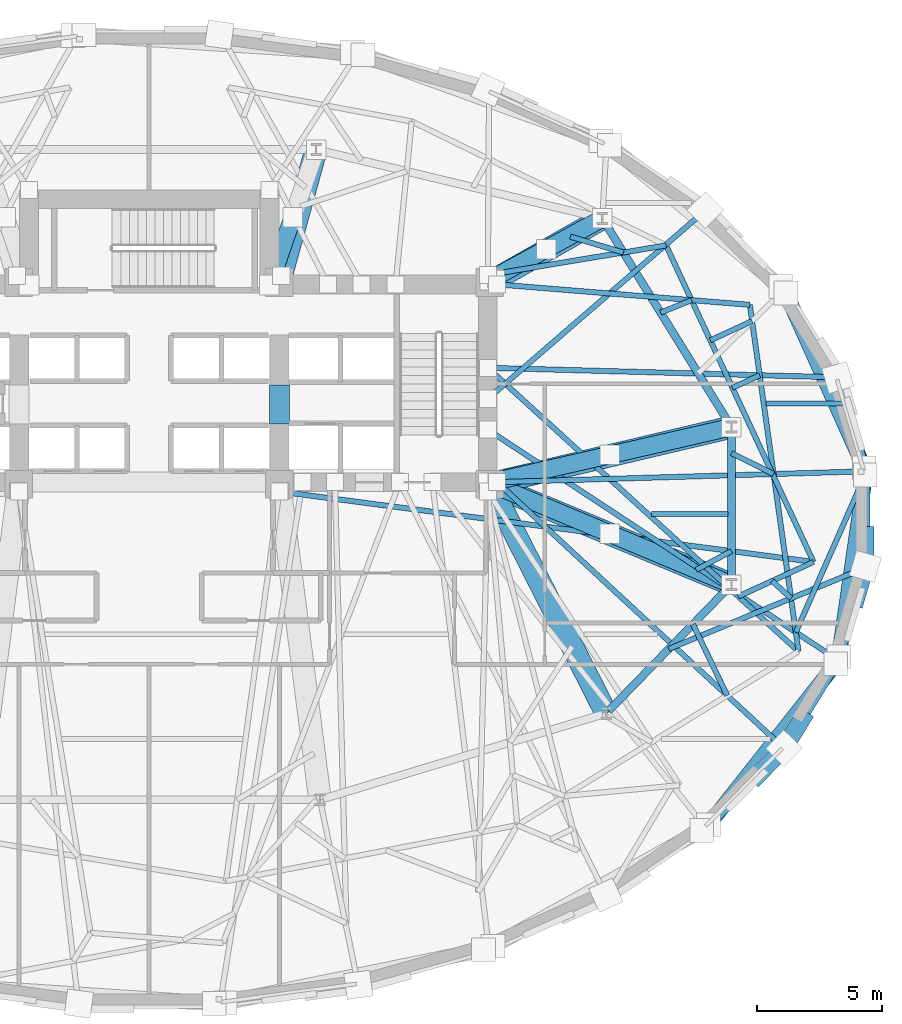
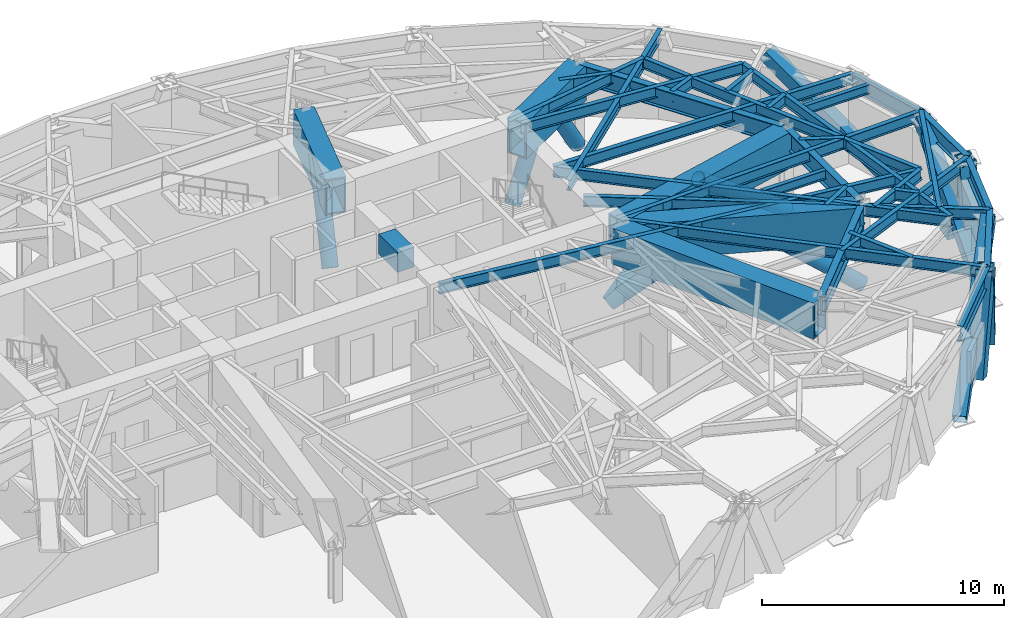
# One storey, part 4 of 14: 38 beams, 14 members.
"""IFC4 building model written with IfcOpenShell, lengths in metres."""

from ifc_helpers import new_model, si_unit, direction, frame, origin, origin_2d, place, context, subcontext, project, spatial, rectangle, hollow_rectangle, hollow_circle, i_section, extrude, material, material_profile, profile_set, type_object, element, save


model = new_model("IFC4")

# Units and contexts
model_context = context("Model", 3, precision=1e-05, world=origin(), true_north=direction((0.0, 1.0)))
body_context = subcontext(model_context, "Body", "Model", "MODEL_VIEW")
ifc_project = project(units=[si_unit("LENGTHUNIT", "METRE"), si_unit("AREAUNIT", "SQUARE_METRE"), si_unit("VOLUMEUNIT", "CUBIC_METRE"), si_unit("PLANEANGLEUNIT", "RADIAN"), si_unit("MASSUNIT", "GRAM", prefix="KILO")], contexts=[model_context])

# Site, building, storey
site_placement = place(None, origin())
site = spatial("IfcSite", under=ifc_project, at=site_placement, CompositionType="ELEMENT")
building_placement = place(site_placement, origin())
building = spatial("IfcBuilding", under=site, at=building_placement, Name="Keldmark Tower", CompositionType="ELEMENT")
storey_placement = place(building_placement, frame((0.0, 0.0, 77.39990234375)))
storey = spatial("IfcBuildingStorey", under=building, at=storey_placement, Name="L20", CompositionType="ELEMENT", Elevation=77.39990234375)

# Members
ifc_material_1 = material(Name="Steel ASTM A572 Grade 50", Category="steel")
ifc_material_profile_1 = material_profile(ifc_material_1, hollow_rectangle(XDim=0.60009765625, YDim=0.60009765625, WallThickness=0.034912109375, at=origin_2d()), Name="BOX600X600X35")
ifc_profile_set_1 = profile_set([ifc_material_profile_1], Name="Steel ASTM A572 Grade 50")
member_type_1 = type_object("IfcMemberType", Name="Belt Truss Diagonal Brace BOX600", PredefinedType="BRACE", material=ifc_profile_set_1)
member_1_placement = place(storey_placement, frame((28.5576171875, 2.055419921875, -0.539794921875), z_axis=(-0.352275419144, 0.78551537135, 0.50879036001), x_axis=(-0.912445212908, -0.409198892277, 0.0)))
element("IfcMember", 1, at=member_1_placement, inside=storey, type_object=member_type_1, Name="L20 Perimeter Belt Truss Brace 01", PredefinedType="BRACE", context=body_context, shape_type="SweptSolid", body=[
    extrude(hollow_rectangle(XDim=0.60009765625, YDim=0.60009765625, WallThickness=0.034912109375, at=origin_2d()), origin(), (0.0, 0.0, 1.0), 8.88330078125),
])
member_2_placement = place(storey_placement, frame((22.341796875, -12.20556640625, -0.539794921875), z_axis=(0.542666542242, 0.687235016842, 0.482929659017), x_axis=(-0.784820232825, 0.619723488459, 0.0)))
element("IfcMember", 2, at=member_2_placement, inside=storey, type_object=member_type_1, Name="L20 Perimeter Belt Truss Brace 15", PredefinedType="BRACE", context=body_context, shape_type="SweptSolid", body=[
    extrude(hollow_rectangle(XDim=0.60009765625, YDim=0.60009765625, WallThickness=0.034912109375, at=origin_2d()), origin(), (0.0, 0.0, 1.0), 9.359130859375),
])
member_3_placement = place(storey_placement, frame((27.546630859375, -5.4931640625, -0.539794921875), z_axis=(0.122456747008, 0.842460476351, 0.524656736256), x_axis=(-0.989600315234, 0.143844416259, 0.0)))
element("IfcMember", 3, at=member_3_placement, inside=storey, type_object=member_type_1, Name="L20 Perimeter Belt Truss Brace 16", PredefinedType="BRACE", context=body_context, shape_type="SweptSolid", body=[
    extrude(hollow_rectangle(XDim=0.60009765625, YDim=0.60009765625, WallThickness=0.034912109375, at=origin_2d()), origin(), (0.0, 0.0, 1.0), 8.61474609375),
])

# Beams
ifc_material_2 = material(Name="Steel ASTM A992 Grade 50", Category="steel")
ifc_material_profile_2 = material_profile(ifc_material_2, i_section(OverallWidth=0.19091796875, OverallDepth=0.45703125, WebThickness=0.009033203125, FlangeThickness=0.014404296875, at=origin_2d()), Name="W18X50")
ifc_profile_set_2 = profile_set([ifc_material_profile_2], Name="Steel ASTM A992 Grade 50")
beam_type_1 = type_object("IfcBeamType", Name="Composite Floor Joist W18X50", PredefinedType="JOIST", material=ifc_profile_set_2)
beam_1_placement = place(storey_placement, frame((20.070068359375, 0.199951171875, 4.051513671875), z_axis=(1.0, 0.0, 0.0), x_axis=(0.0, 1.0, 0.0)))
element("IfcBeam", 4, at=beam_1_placement, inside=storey, type_object=beam_type_1, Name="L20 Composite Floor Joist J10", PredefinedType="JOIST", context=body_context, shape_type="SweptSolid", body=[
    extrude(i_section(OverallWidth=0.19091796875, OverallDepth=0.45703125, WebThickness=0.009033203125, FlangeThickness=0.014404296875, at=origin_2d()), origin(), (0.0, 0.0, 1.0), 3.037841796875),
])
beam_2_placement = place(storey_placement, frame((24.637939453125, 4.6201171875, 4.051513671875), z_axis=(1.0, 0.0, 0.0), x_axis=(0.0, 1.0, 0.0)))
element("IfcBeam", 5, at=beam_2_placement, inside=storey, type_object=beam_type_1, Name="L20 Composite Floor Joist J11", PredefinedType="JOIST", context=body_context, shape_type="SweptSolid", body=[
    extrude(i_section(OverallWidth=0.19091796875, OverallDepth=0.45703125, WebThickness=0.009033203125, FlangeThickness=0.014404296875, at=origin_2d()), origin(), (0.0, 0.0, 1.0), 3.09716796875),
])
ifc_material_3 = material(Name="Concrete C70/85", Category="concrete")
ifc_material_profile_3 = material_profile(ifc_material_3, rectangle(XDim=0.800048828125, YDim=1.0, at=origin_2d()), Name="RCB800X1000")
ifc_profile_set_3 = profile_set([ifc_material_profile_3], Name="Concrete C70/85")
beam_type_2 = type_object("IfcBeamType", Name="Core Coupling Beam RCB800X1000", PredefinedType="USERDEFINED", material=ifc_profile_set_3)
beam_3_placement = place(storey_placement, frame((5.199951171875, 3.800048828125, 3.780029296875), z_axis=(0.0, 1.0, 0.0), x_axis=(-1.0, 0.0, 0.0)))
element("IfcBeam", 6, at=beam_3_placement, inside=storey, type_object=beam_type_2, Name="L20 East Core Coupling Beam", ObjectType="COUPLING BEAM", PredefinedType="USERDEFINED", context=body_context, shape_type="SweptSolid", body=[
    extrude(rectangle(XDim=0.800048828125, YDim=1.0, at=origin_2d()), origin(), (0.0, 0.0, 1.0), 1.550048828125),
])

# Members
ifc_material_4 = material(Name="Steel ASTM A572 Grade 50", Category="steel")
ifc_material_profile_4 = material_profile(ifc_material_4, hollow_rectangle(XDim=0.699951171875, YDim=0.699951171875, WallThickness=0.054931640625, at=origin_2d()), Name="BOX700X700X55")
ifc_profile_set_4 = profile_set([ifc_material_profile_4], Name="Steel ASTM A572 Grade 50")
member_type_2 = type_object("IfcMemberType", Name="Diagrid Zone 1 Brace BOX700X700X55", PredefinedType="BRACE", material=ifc_profile_set_4)
member_4_placement = place(storey_placement, frame((24.307373046875, -10.213623046875, -0.31982421875), z_axis=(0.221448444143, 0.224447979351, 0.948990880437), x_axis=(-0.711847366436, 0.702334198867, 0.0)))
element("IfcMember", 7, at=member_4_placement, inside=storey, type_object=member_type_2, Name="L20 Perimeter Diagrid Brace 15A", PredefinedType="BRACE", context=body_context, shape_type="SweptSolid", body=[
    extrude(hollow_rectangle(XDim=0.699951171875, YDim=0.699951171875, WallThickness=0.054931640625, at=origin_2d()), origin(), (0.0, 0.0, 1.0), 4.720703125),
])
member_5_placement = place(storey_placement, frame((26.066650390625, -7.98681640625, -0.31982421875), z_axis=(-0.153640198421, -0.251084541216, 0.9556941156), x_axis=(0.852979915636, -0.521943735973, 0.0)))
element("IfcMember", 8, at=member_5_placement, inside=storey, type_object=member_type_2, Name="L20 Perimeter Diagrid Brace 15B", PredefinedType="BRACE", context=body_context, shape_type="SweptSolid", body=[
    extrude(hollow_rectangle(XDim=0.699951171875, YDim=0.699951171875, WallThickness=0.054931640625, at=origin_2d()), origin(), (0.0, 0.0, 1.0), 4.687744140625),
])
member_6_placement = place(storey_placement, frame((28.23681640625, -3.143798828125, -0.31982421875), z_axis=(0.078701515686, 0.267920053399, 0.960221285129), x_axis=(-0.95946093439, 0.281841649477, 0.0)))
element("IfcMember", 9, at=member_6_placement, inside=storey, type_object=member_type_2, Name="L20 Perimeter Diagrid Brace 16A", PredefinedType="BRACE", context=body_context, shape_type="SweptSolid", body=[
    extrude(hollow_rectangle(XDim=0.699951171875, YDim=0.699951171875, WallThickness=0.054931640625, at=origin_2d()), origin(), (0.0, 0.0, 1.0), 4.66552734375),
])
member_7_placement = place(storey_placement, frame((28.6015625, -0.631103515625, -0.31982421875), z_axis=(0.0, -0.273613279617, 0.961839785628), x_axis=(1.0, 0.0, 0.0)))
element("IfcMember", 10, at=member_7_placement, inside=storey, type_object=member_type_2, Name="L20 Perimeter Diagrid Brace 16B", PredefinedType="BRACE", context=body_context, shape_type="SweptSolid", body=[
    extrude(hollow_rectangle(XDim=0.699951171875, YDim=0.699951171875, WallThickness=0.054931640625, at=origin_2d()), origin(), (0.0, 0.0, 1.0), 4.65771484375),
])

# Beams
ifc_material_5 = material(Name="Steel ASTM A992 Grade 50", Category="steel")
ifc_material_profile_5 = material_profile(ifc_material_5, i_section(OverallWidth=0.31005859375, OverallDepth=0.931884765625, WebThickness=0.02099609375, FlangeThickness=0.034423828125, at=origin_2d()), Name="W36X210")
ifc_profile_set_5 = profile_set([ifc_material_profile_5], Name="Steel ASTM A992 Grade 50")
beam_type_3 = type_object("IfcBeamType", Name="Outrigger Chord Girder W36X210", PredefinedType="BEAM", material=ifc_profile_set_5)
beam_4_placement = place(storey_placement, frame((23.180419921875, 3.796142578125, 3.814208984375), z_axis=(-0.526318405849, 0.850287560573, 0.0), x_axis=(-0.850287560573, -0.526318405849, 0.0)))
element("IfcBeam", 11, at=beam_4_placement, inside=storey, type_object=beam_type_3, Name="L20 Floor Ring Girder FG-R01", PredefinedType="BEAM", context=body_context, shape_type="SweptSolid", body=[
    extrude(i_section(OverallWidth=0.31005859375, OverallDepth=0.931884765625, WebThickness=0.02099609375, FlangeThickness=0.034423828125, at=origin_2d()), origin(), (0.0, 0.0, 1.0), 9.51708984375),
])
beam_5_placement = place(storey_placement, frame((18.350341796875, -7.6552734375, 3.814208984375), z_axis=(0.697210382268, 0.716866572563, 0.0), x_axis=(-0.716866572563, 0.697210382268, 0.0)))
element("IfcBeam", 12, at=beam_5_placement, inside=storey, type_object=beam_type_3, Name="L20 Floor Ring Girder FG-R11", PredefinedType="BEAM", context=body_context, shape_type="SweptSolid", body=[
    extrude(i_section(OverallWidth=0.31005859375, OverallDepth=0.931884765625, WebThickness=0.02099609375, FlangeThickness=0.034423828125, at=origin_2d()), origin(), (0.0, 0.0, 1.0), 6.893310546875),
])
beam_6_placement = place(storey_placement, frame((23.25390625, -2.47314453125, 3.814208984375), z_axis=(0.0, 1.0, 0.0), x_axis=(-1.0, 0.0, 0.0)))
element("IfcBeam", 13, at=beam_6_placement, inside=storey, type_object=beam_type_3, Name="L20 Floor Ring Girder FG-R12", PredefinedType="BEAM", context=body_context, shape_type="SweptSolid", body=[
    extrude(i_section(OverallWidth=0.31005859375, OverallDepth=0.931884765625, WebThickness=0.02099609375, FlangeThickness=0.034423828125, at=origin_2d()), origin(), (0.0, 0.0, 1.0), 6.01025390625),
])

# Members
ifc_material_6 = material(Name="Steel ASTM A572 Grade 50", Category="steel")
ifc_material_profile_6 = material_profile(ifc_material_6, hollow_circle(Radius=0.35009765625, WallThickness=0.031982421875, at=origin_2d()), Name="CHS700X32")
ifc_profile_set_6 = profile_set([ifc_material_profile_6], Name="Steel ASTM A572 Grade 50")
member_type_3 = type_object("IfcMemberType", Name="Outrigger Web Strut CHS700X32", PredefinedType="STRUT", material=ifc_profile_set_6)
member_8_placement = place(storey_placement, frame((13.550048828125, 1.449951171875, 0.150146484375), z_axis=(0.77250098026, 0.177324618695, 0.609752585154), x_axis=(-0.223727542201, 0.974651725931, 0.0)))
element("IfcMember", 14, at=member_8_placement, inside=storey, type_object=member_type_3, Name="L20 Core Outrigger Truss Strut 05A", PredefinedType="STRUT", context=body_context, shape_type="SweptSolid", body=[
    extrude(hollow_circle(Radius=0.35009765625, WallThickness=0.031982421875, at=origin_2d()), origin(), (0.0, 0.0, 1.0), 6.281005859375),
])
member_9_placement = place(storey_placement, frame((23.25390625, 3.67724609375, 0.150146484375), z_axis=(-0.772490629777, -0.177292294189, 0.609775097334), x_axis=(0.223691646943, -0.974659964853, 0.0)))
element("IfcMember", 15, at=member_9_placement, inside=storey, type_object=member_type_3, Name="L20 Core Outrigger Truss Strut 05B", PredefinedType="STRUT", context=body_context, shape_type="SweptSolid", body=[
    extrude(hollow_circle(Radius=0.35009765625, WallThickness=0.031982421875, at=origin_2d()), origin(), (0.0, 0.0, 1.0), 6.28076171875),
])
for number, where, z_axis, x_axis, name in (
    (16, (13.550048828125, 1.449951171875, 0.150146484375), (0.745702038207, -0.312216295659, 0.588599570965), (0.38620329616, 0.922413689206, 0.0), "L20 Core Outrigger Truss Strut 06A"),
    (17, (23.25390625, -2.61328125, 0.150146484375), (-0.745676644221, 0.312258895648, 0.588609143959), (-0.38625932144, -0.922390230109, 0.0), "L20 Core Outrigger Truss Strut 06B"),
):
    element("IfcMember", number, at=place(storey_placement, frame(where, z_axis=z_axis, x_axis=x_axis)), inside=storey, type_object=member_type_3, Name=name, PredefinedType="STRUT", context=body_context, shape_type="SweptSolid", body=[
        extrude(hollow_circle(Radius=0.35009765625, WallThickness=0.031982421875, at=origin_2d()), origin(), (0.0, 0.0, 1.0), 6.506591796875),
    ])
member_10_placement = place(storey_placement, frame((13.60009765625, 9.550048828125, 0.150146484375), z_axis=(0.488006880473, 0.266652766195, 0.831111055691), x_axis=(-0.479499479875, 0.877542163545, 0.0)))
element("IfcMember", 18, at=member_10_placement, inside=storey, type_object=member_type_3, Name="L20 Core Outrigger Truss Strut 07A", PredefinedType="STRUT", context=body_context, shape_type="SweptSolid", body=[
    extrude(hollow_circle(Radius=0.35009765625, WallThickness=0.031982421875, at=origin_2d()), origin(), (0.0, 0.0, 1.0), 4.608154296875),
])
member_11_placement = place(storey_placement, frame((18.09765625, 12.00732421875, 0.150146484375), z_axis=(-0.48801377425, -0.266603551409, 0.831122796293), x_axis=(0.47942610845, -0.877582250582, 0.0)))
element("IfcMember", 19, at=member_11_placement, inside=storey, type_object=member_type_3, Name="L20 Core Outrigger Truss Strut 07B", PredefinedType="STRUT", context=body_context, shape_type="SweptSolid", body=[
    extrude(hollow_circle(Radius=0.35009765625, WallThickness=0.031982421875, at=origin_2d()), origin(), (0.0, 0.0, 1.0), 4.60791015625),
])
member_12_placement = place(storey_placement, frame((4.800048828125, 9.35009765625, 0.150146484375), z_axis=(0.195037171722, 0.565806971853, 0.801138547474), x_axis=(-0.945408342707, 0.325888118133, 0.0)))
element("IfcMember", 20, at=member_12_placement, inside=storey, type_object=member_type_3, Name="L20 Core Outrigger Truss Strut 08A", PredefinedType="STRUT", context=body_context, shape_type="SweptSolid", body=[
    extrude(hollow_circle(Radius=0.35009765625, WallThickness=0.031982421875, at=origin_2d()), origin(), (0.0, 0.0, 1.0), 4.780517578125),
])

# Beams
ifc_material_7 = material(Name="Steel ASTM A572 Grade 50", Category="steel")
ifc_material_profile_7 = material_profile(ifc_material_7, hollow_rectangle(XDim=0.89990234375, YDim=1.800048828125, WallThickness=0.074951171875, at=origin_2d()), Name="TBOX1800X900X75")
ifc_profile_set_7 = profile_set([ifc_material_profile_7], Name="Steel ASTM A572 Grade 50")
beam_type_4 = type_object("IfcBeamType", Name="Perimeter Transfer Box Girder 1800x900", PredefinedType="USERDEFINED", material=ifc_profile_set_7)
beam_7_placement = place(storey_placement, frame((23.25390625, 3.67724609375, 3.380126953125), z_axis=(-0.973289459221, -0.22958142035, 0.0), x_axis=(0.22958142035, -0.973289459221, 0.0)))
element("IfcBeam", 21, at=beam_7_placement, inside=storey, type_object=beam_type_4, Name="L20 Upper Crown Transfer Box Girder UTB-TC-E1", ObjectType="TRANSFER GIRDER", PredefinedType="USERDEFINED", context=body_context, shape_type="SweptSolid", body=[
    extrude(hollow_rectangle(XDim=0.89990234375, YDim=1.800048828125, WallThickness=0.074951171875, at=origin_2d()), origin(), (0.0, 0.0, 1.0), 9.638916015625),
])
beam_8_placement = place(storey_placement, frame((18.09765625, 12.00732421875, 3.380126953125), z_axis=(-0.86929726432, -0.494289658243, 0.0), x_axis=(0.494289658243, -0.86929726432, 0.0)))
element("IfcBeam", 22, at=beam_8_placement, inside=storey, type_object=beam_type_4, Name="L20 Upper Crown Transfer Box Girder UTB-TC-E4", ObjectType="TRANSFER GIRDER", PredefinedType="USERDEFINED", context=body_context, shape_type="SweptSolid", body=[
    extrude(hollow_rectangle(XDim=0.89990234375, YDim=1.800048828125, WallThickness=0.074951171875, at=origin_2d()), origin(), (0.0, 0.0, 1.0), 4.893798828125),
])
beam_9_placement = place(storey_placement, frame((6.6650390625, 14.760009765625, 3.380126953125), z_axis=(-0.26597687991, -0.963979408158, 0.0), x_axis=(0.963979408158, -0.26597687991, 0.0)))
element("IfcBeam", 23, at=beam_9_placement, inside=storey, type_object=beam_type_4, Name="L20 Upper Crown Transfer Box Girder UTB-TC-N2", ObjectType="TRANSFER GIRDER", PredefinedType="USERDEFINED", context=body_context, shape_type="SweptSolid", body=[
    extrude(hollow_rectangle(XDim=0.89990234375, YDim=1.800048828125, WallThickness=0.074951171875, at=origin_2d()), origin(), (0.0, 0.0, 1.0), 5.228271484375),
])
beam_10_placement = place(storey_placement, frame((18.252685546875, -7.755615234375, 3.380126953125), z_axis=(-0.45303997772, 0.891490201061, 0.0), x_axis=(-0.891490201061, -0.45303997772, 0.0)))
element("IfcBeam", 24, at=beam_10_placement, inside=storey, type_object=beam_type_4, Name="L20 Upper Crown Transfer Box Girder UTB-TC-E2", ObjectType="TRANSFER GIRDER", PredefinedType="USERDEFINED", context=body_context, shape_type="SweptSolid", body=[
    extrude(hollow_rectangle(XDim=0.89990234375, YDim=1.800048828125, WallThickness=0.074951171875, at=origin_2d()), origin(), (0.0, 0.0, 1.0), 9.989990234375),
])
beam_11_placement = place(storey_placement, frame((23.25390625, -2.61328125, 3.380126953125), z_axis=(-0.923391802867, 0.38385880008, 0.0), x_axis=(-0.38385880008, -0.923391802867, 0.0)))
element("IfcBeam", 25, at=beam_11_placement, inside=storey, type_object=beam_type_4, Name="L20 Upper Crown Transfer Box Girder UTB-TC-E5", ObjectType="TRANSFER GIRDER", PredefinedType="USERDEFINED", context=body_context, shape_type="SweptSolid", body=[
    extrude(hollow_rectangle(XDim=0.89990234375, YDim=1.800048828125, WallThickness=0.074951171875, at=origin_2d()), origin(), (0.0, 0.0, 1.0), 10.175048828125),
])
ifc_material_8 = material(Name="Steel ASTM A992 Grade 50", Category="steel")
ifc_material_profile_8 = material_profile(ifc_material_8, i_section(OverallWidth=0.2099609375, OverallDepth=0.537109375, WebThickness=0.010986328125, FlangeThickness=0.017333984375, at=origin_2d()), Name="W21X68")
ifc_profile_set_8 = profile_set([ifc_material_profile_8], Name="Steel ASTM A992 Grade 50")
beam_type_5 = type_object("IfcBeamType", Name="Radial Tie Girder W21X68", PredefinedType="BEAM", material=ifc_profile_set_8)
beam_12_placement = place(storey_placement, frame((16.8212890625, 11.28173828125, 4.01171875), z_axis=(0.958075205572, -0.286516841509, 0.0), x_axis=(0.286516841509, 0.958075205572, 0.0)))
element("IfcBeam", 26, at=beam_12_placement, inside=storey, type_object=beam_type_5, Name="L20 Framing Pin Header PH-001", PredefinedType="BEAM", context=body_context, shape_type="SweptSolid", body=[
    extrude(i_section(OverallWidth=0.2099609375, OverallDepth=0.537109375, WebThickness=0.010986328125, FlangeThickness=0.017333984375, at=origin_2d()), origin(), (0.0, 0.0, 1.0), 2.21044921875),
])
beam_13_placement = place(storey_placement, frame((13.52490234375, 9.75, 4.01171875), z_axis=(0.98650526211, 0.163729556981, 0.0), x_axis=(-0.163729556981, 0.98650526211, 0.0)))
element("IfcBeam", 27, at=beam_13_placement, inside=storey, type_object=beam_type_5, Name="L20 Sub-Ring Step Girder STP1-M01", PredefinedType="BEAM", context=body_context, shape_type="SweptSolid", body=[
    extrude(i_section(OverallWidth=0.2099609375, OverallDepth=0.537109375, WebThickness=0.010986328125, FlangeThickness=0.017333984375, at=origin_2d()), origin(), (0.0, 0.0, 1.0), 7.215576171875),
])
beam_14_placement = place(storey_placement, frame((21.8447265625, -2.02734375, 4.01171875), z_axis=(0.88282246256, 0.469706823029, 0.0), x_axis=(-0.469706823029, 0.88282246256, 0.0)))
element("IfcBeam", 28, at=beam_14_placement, inside=storey, type_object=beam_type_5, Name="L20 Framing Pin Header PH-008", PredefinedType="BEAM", context=body_context, shape_type="SweptSolid", body=[
    extrude(i_section(OverallWidth=0.2099609375, OverallDepth=0.537109375, WebThickness=0.010986328125, FlangeThickness=0.017333984375, at=origin_2d()), origin(), (0.0, 0.0, 1.0), 1.59619140625),
])
beam_15_placement = place(storey_placement, frame((5.199951171875, 1.10009765625, 4.01171875), z_axis=(0.991439381408, -0.130567809946, 0.0), x_axis=(0.130567809946, 0.991439381408, 0.0)))
element("IfcBeam", 29, at=beam_15_placement, inside=storey, type_object=beam_type_5, Name="L20 Sub-Ring Step Girder STP1-M12", PredefinedType="BEAM", context=body_context, shape_type="SweptSolid", body=[
    extrude(i_section(OverallWidth=0.2099609375, OverallDepth=0.537109375, WebThickness=0.010986328125, FlangeThickness=0.017333984375, at=origin_2d()), origin(), (0.0, 0.0, 1.0), 21.51611328125),
])
beam_16_placement = place(storey_placement, frame((26.531982421875, -1.709228515625, 4.01171875), z_axis=(-0.422294024081, 0.906458910942, 0.0), x_axis=(-0.906458910942, -0.422294024081, 0.0)))
element("IfcBeam", 30, at=beam_16_placement, inside=storey, type_object=beam_type_5, Name="L20 Perimeter Collector Ring Beam CRG1-M12", PredefinedType="BEAM", context=body_context, shape_type="SweptSolid", body=[
    extrude(i_section(OverallWidth=0.2099609375, OverallDepth=0.537109375, WebThickness=0.010986328125, FlangeThickness=0.017333984375, at=origin_2d()), origin(), (0.0, 0.0, 1.0), 13.945068359375),
])
beam_17_placement = place(storey_placement, frame((20.42529296875, 8.246826171875, 4.01171875), z_axis=(0.927042340434, 0.374956662886, 0.0), x_axis=(-0.374956662886, 0.927042340434, 0.0)))
element("IfcBeam", 31, at=beam_17_placement, inside=storey, type_object=beam_type_5, Name="L20 Framing Pin Header PH-009", PredefinedType="BEAM", context=body_context, shape_type="SweptSolid", body=[
    extrude(i_section(OverallWidth=0.2099609375, OverallDepth=0.537109375, WebThickness=0.010986328125, FlangeThickness=0.017333984375, at=origin_2d()), origin(), (0.0, 0.0, 1.0), 1.332763671875),
])
beam_18_placement = place(storey_placement, frame((13.89990234375, 9.375, 4.01171875), z_axis=(0.996737340405, -0.08071353197, 0.0), x_axis=(0.08071353197, 0.996737340405, 0.0)))
element("IfcBeam", 32, at=beam_18_placement, inside=storey, type_object=beam_type_5, Name="L20 Sub-Ring Step Girder STP2-M01", PredefinedType="BEAM", context=body_context, shape_type="SweptSolid", body=[
    extrude(i_section(OverallWidth=0.2099609375, OverallDepth=0.537109375, WebThickness=0.010986328125, FlangeThickness=0.017333984375, at=origin_2d()), origin(), (0.0, 0.0, 1.0), 10.120849609375),
])
beam_19_placement = place(storey_placement, frame((26.531982421875, -1.709228515625, 4.01171875), z_axis=(-0.908628369858, -0.417605657875, 0.0), x_axis=(0.417605657875, -0.908628369858, 0.0)))
element("IfcBeam", 33, at=beam_19_placement, inside=storey, type_object=beam_type_5, Name="L20 Framing Pin Header PH-013", PredefinedType="BEAM", context=body_context, shape_type="SweptSolid", body=[
    extrude(i_section(OverallWidth=0.2099609375, OverallDepth=0.537109375, WebThickness=0.010986328125, FlangeThickness=0.017333984375, at=origin_2d()), origin(), (0.0, 0.0, 1.0), 3.305419921875),
])
beam_20_placement = place(storey_placement, frame((13.52490234375, 6.04296875, 4.01171875), z_axis=(0.73852985582, -0.674220773977, 0.0), x_axis=(0.674220773977, 0.73852985582, 0.0)))
element("IfcBeam", 34, at=beam_20_placement, inside=storey, type_object=beam_type_5, Name="L20 Sub-Ring Step Girder STP2-M12", PredefinedType="BEAM", context=body_context, shape_type="SweptSolid", body=[
    extrude(i_section(OverallWidth=0.2099609375, OverallDepth=0.537109375, WebThickness=0.010986328125, FlangeThickness=0.017333984375, at=origin_2d()), origin(), (0.0, 0.0, 1.0), 16.798828125),
])
beam_21_placement = place(storey_placement, frame((25.931396484375, -5.283203125, 4.01171875), z_axis=(-0.139056245502, 0.990284484674, 0.0), x_axis=(-0.990284484674, -0.139056245502, 0.0)))
element("IfcBeam", 35, at=beam_21_placement, inside=storey, type_object=beam_type_5, Name="L20 Perimeter Collector Ring Beam CRG2-M12", PredefinedType="BEAM", context=body_context, shape_type="SweptSolid", body=[
    extrude(i_section(OverallWidth=0.2099609375, OverallDepth=0.537109375, WebThickness=0.010986328125, FlangeThickness=0.017333984375, at=origin_2d()), origin(), (0.0, 0.0, 1.0), 13.97705078125),
])
beam_22_placement = place(storey_placement, frame((23.25390625, 2.635498046875, 4.01171875), z_axis=(0.89595570084, -0.444143425181, 0.0), x_axis=(0.444143425181, 0.89595570084, 0.0)))
element("IfcBeam", 36, at=beam_22_placement, inside=storey, type_object=beam_type_5, Name="L20 Framing Pin Header PH-014", PredefinedType="BEAM", context=body_context, shape_type="SweptSolid", body=[
    extrude(i_section(OverallWidth=0.2099609375, OverallDepth=0.537109375, WebThickness=0.010986328125, FlangeThickness=0.017333984375, at=origin_2d()), origin(), (0.0, 0.0, 1.0), 1.878173828125),
])
beam_23_placement = place(storey_placement, frame((13.89990234375, 1.47509765625, 4.01171875), z_axis=(0.999563529076, 0.02954236519, 0.0), x_axis=(-0.02954236519, 0.999563529076, 0.0)))
element("IfcBeam", 37, at=beam_23_placement, inside=storey, type_object=beam_type_5, Name="L20 Perimeter Radial Tie Girder RT-01", PredefinedType="BEAM", context=body_context, shape_type="SweptSolid", body=[
    extrude(i_section(OverallWidth=0.2099609375, OverallDepth=0.537109375, WebThickness=0.010986328125, FlangeThickness=0.017333984375, at=origin_2d()), origin(), (0.0, 0.0, 1.0), 14.767822265625),
])
beam_24_placement = place(storey_placement, frame((23.29296875, 5.2431640625, 4.01171875), z_axis=(0.907637694542, 0.419754470431, 0.0), x_axis=(-0.419754470431, 0.907637694542, 0.0)))
element("IfcBeam", 38, at=beam_24_placement, inside=storey, type_object=beam_type_5, Name="L20 Framing Pin Header PH-015", PredefinedType="BEAM", context=body_context, shape_type="SweptSolid", body=[
    extrude(i_section(OverallWidth=0.2099609375, OverallDepth=0.537109375, WebThickness=0.010986328125, FlangeThickness=0.017333984375, at=origin_2d()), origin(), (0.0, 0.0, 1.0), 1.200439453125),
])
beam_25_placement = place(storey_placement, frame((13.52490234375, 6.04296875, 4.01171875), z_axis=(0.999629171927, -0.027230839724, 0.0), x_axis=(0.027230839724, 0.999629171927, 0.0)))
element("IfcBeam", 39, at=beam_25_placement, inside=storey, type_object=beam_type_5, Name="L20 Perimeter Radial Tie Girder RT-02", PredefinedType="BEAM", context=body_context, shape_type="SweptSolid", body=[
    extrude(i_section(OverallWidth=0.2099609375, OverallDepth=0.537109375, WebThickness=0.010986328125, FlangeThickness=0.017333984375, at=origin_2d()), origin(), (0.0, 0.0, 1.0), 14.0400390625),
])
beam_26_placement = place(storey_placement, frame((22.40966796875, 7.13916015625, 4.01171875), z_axis=(0.90806041277, 0.418839213494, 0.0), x_axis=(-0.418839213494, 0.90806041277, 0.0)))
element("IfcBeam", 40, at=beam_26_placement, inside=storey, type_object=beam_type_5, Name="L20 Framing Pin Header PH-016", PredefinedType="BEAM", context=body_context, shape_type="SweptSolid", body=[
    extrude(i_section(OverallWidth=0.2099609375, OverallDepth=0.537109375, WebThickness=0.010986328125, FlangeThickness=0.017333984375, at=origin_2d()), origin(), (0.0, 0.0, 1.0), 1.83837890625),
])
beam_27_placement = place(storey_placement, frame((13.52490234375, 4.80712890625, 4.01171875), z_axis=(0.756086255688, 0.654471981034, 0.0), x_axis=(-0.654471981034, 0.756086255688, 0.0)))
element("IfcBeam", 41, at=beam_27_placement, inside=storey, type_object=beam_type_5, Name="L20 Perimeter Radial Tie Girder RT-04", PredefinedType="BEAM", context=body_context, shape_type="SweptSolid", body=[
    extrude(i_section(OverallWidth=0.2099609375, OverallDepth=0.537109375, WebThickness=0.010986328125, FlangeThickness=0.017333984375, at=origin_2d()), origin(), (0.0, 0.0, 1.0), 11.556640625),
])
beam_28_placement = place(storey_placement, frame((21.714599609375, -4.196044921875, 4.01171875), z_axis=(0.433155608553, -0.901319154783, 0.0), x_axis=(0.901319154783, 0.433155608553, 0.0)))
element("IfcBeam", 42, at=beam_28_placement, inside=storey, type_object=beam_type_5, Name="L20 Framing Pin Header PH-047", PredefinedType="BEAM", context=body_context, shape_type="SweptSolid", body=[
    extrude(i_section(OverallWidth=0.2099609375, OverallDepth=0.537109375, WebThickness=0.010986328125, FlangeThickness=0.017333984375, at=origin_2d()), origin(), (0.0, 0.0, 1.0), 3.1591796875),
])
beam_29_placement = place(storey_placement, frame((13.89990234375, 1.47509765625, 4.01171875), z_axis=(0.733139322166, -0.68007847657, 0.0), x_axis=(0.68007847657, 0.733139322166, 0.0)))
element("IfcBeam", 43, at=beam_29_placement, inside=storey, type_object=beam_type_5, Name="L20 Perimeter Radial Tie Girder RT-30", PredefinedType="BEAM", context=body_context, shape_type="SweptSolid", body=[
    extrude(i_section(OverallWidth=0.2099609375, OverallDepth=0.537109375, WebThickness=0.010986328125, FlangeThickness=0.017333984375, at=origin_2d()), origin(), (0.0, 0.0, 1.0), 15.685302734375),
])
beam_30_placement = place(storey_placement, frame((28.661376953125, 1.911376953125, 4.01171875), z_axis=(-0.40367783581, -0.914901199516, 0.0), x_axis=(0.914901199516, -0.40367783581, 0.0)))
element("IfcBeam", 44, at=beam_30_placement, inside=storey, type_object=beam_type_5, Name="L20 Framing Pin Header PH-048", PredefinedType="BEAM", context=body_context, shape_type="SweptSolid", body=[
    extrude(i_section(OverallWidth=0.2099609375, OverallDepth=0.537109375, WebThickness=0.010986328125, FlangeThickness=0.017333984375, at=origin_2d()), origin(), (0.0, 0.0, 1.0), 7.0283203125),
])
beam_31_placement = place(storey_placement, frame((13.52490234375, 3.5712890625, 4.01171875), z_axis=(0.835459751596, -0.549551638577, 0.0), x_axis=(0.549551638577, 0.835459751596, 0.0)))
element("IfcBeam", 45, at=beam_31_placement, inside=storey, type_object=beam_type_5, Name="L20 Perimeter Radial Tie Girder RT-31", PredefinedType="BEAM", context=body_context, shape_type="SweptSolid", body=[
    extrude(i_section(OverallWidth=0.2099609375, OverallDepth=0.537109375, WebThickness=0.010986328125, FlangeThickness=0.017333984375, at=origin_2d()), origin(), (0.0, 0.0, 1.0), 16.799072265625),
])
beam_32_placement = place(storey_placement, frame((24.880126953125, -2.468505859375, 4.01171875), z_axis=(0.734858183446, -0.678220797545, 0.0), x_axis=(0.678220797545, 0.734858183446, 0.0)))
element("IfcBeam", 46, at=beam_32_placement, inside=storey, type_object=beam_type_5, Name="L20 Framing Pin Header PH-049", PredefinedType="BEAM", context=body_context, shape_type="SweptSolid", body=[
    extrude(i_section(OverallWidth=0.2099609375, OverallDepth=0.537109375, WebThickness=0.010986328125, FlangeThickness=0.017333984375, at=origin_2d()), origin(), (0.0, 0.0, 1.0), 1.02587890625),
])
beam_33_placement = place(storey_placement, frame((20.75341796875, -5.184326171875, 4.01171875), z_axis=(0.923988332734, 0.382420659709, 0.0), x_axis=(-0.382420659709, 0.923988332734, 0.0)))
element("IfcBeam", 47, at=beam_33_placement, inside=storey, type_object=beam_type_5, Name="L20 Perimeter Radial Tie Girder RT-32", PredefinedType="BEAM", context=body_context, shape_type="SweptSolid", body=[
    extrude(i_section(OverallWidth=0.2099609375, OverallDepth=0.537109375, WebThickness=0.010986328125, FlangeThickness=0.017333984375, at=origin_2d()), origin(), (0.0, 0.0, 1.0), 8.55859375),
])
ifc_material_9 = material(Name="Steel ASTM A992 Grade 50", Category="steel")
ifc_material_profile_9 = material_profile(ifc_material_9, i_section(OverallWidth=0.26806640625, OverallDepth=0.77001953125, WebThickness=0.015625, FlangeThickness=0.025390625, at=origin_2d()), Name="W30X132")
ifc_profile_set_9 = profile_set([ifc_material_profile_9], Name="Steel ASTM A992 Grade 50")
beam_type_6 = type_object("IfcBeamType", Name="Spandrel Ring Beam W30X132", PredefinedType="SPANDREL", material=ifc_profile_set_9)
beam_34_placement = place(storey_placement, frame((28.661376953125, 1.911376953125, 3.89501953125), z_axis=(-0.281892332735, 0.959446044728, 0.0), x_axis=(-0.959446044728, -0.281892332735, 0.0)))
element("IfcBeam", 48, at=beam_34_placement, inside=storey, type_object=beam_type_6, Name="L20 Perimeter Spandrel Ring Beam SRB-01", PredefinedType="SPANDREL", context=body_context, shape_type="SweptSolid", body=[
    extrude(i_section(OverallWidth=0.26806640625, OverallDepth=0.77001953125, WebThickness=0.015625, FlangeThickness=0.025390625, at=origin_2d()), origin(), (0.0, 0.0, 1.0), 3.90771484375),
])
beam_35_placement = place(storey_placement, frame((22.2626953125, -12.37060546875, 3.89501953125), z_axis=(0.702416934119, 0.711765727373, 0.0), x_axis=(-0.711765727373, 0.702416934119, 0.0)))
element("IfcBeam", 49, at=beam_35_placement, inside=storey, type_object=beam_type_6, Name="L20 Perimeter Spandrel Ring Beam SRB-29", PredefinedType="SPANDREL", context=body_context, shape_type="SweptSolid", body=[
    extrude(i_section(OverallWidth=0.26806640625, OverallDepth=0.77001953125, WebThickness=0.015625, FlangeThickness=0.025390625, at=origin_2d()), origin(), (0.0, 0.0, 1.0), 4.465576171875),
])
beam_36_placement = place(storey_placement, frame((25.3994140625, -9.192138671875, 3.89501953125), z_axis=(0.521848315684, 0.853038296572, 0.0), x_axis=(-0.853038296572, 0.521848315684, 0.0)))
element("IfcBeam", 50, at=beam_36_placement, inside=storey, type_object=beam_type_6, Name="L20 Perimeter Spandrel Ring Beam SRB-30", PredefinedType="SPANDREL", context=body_context, shape_type="SweptSolid", body=[
    extrude(i_section(OverallWidth=0.26806640625, OverallDepth=0.77001953125, WebThickness=0.015625, FlangeThickness=0.025390625, at=origin_2d()), origin(), (0.0, 0.0, 1.0), 4.139892578125),
])
beam_37_placement = place(storey_placement, frame((27.559814453125, -5.66064453125, 3.89501953125), z_axis=(0.281892332735, 0.959446044728, 0.0), x_axis=(-0.959446044728, 0.281892332735, 0.0)))
element("IfcBeam", 51, at=beam_37_placement, inside=storey, type_object=beam_type_6, Name="L20 Perimeter Spandrel Ring Beam SRB-31", PredefinedType="SPANDREL", context=body_context, shape_type="SweptSolid", body=[
    extrude(i_section(OverallWidth=0.26806640625, OverallDepth=0.77001953125, WebThickness=0.015625, FlangeThickness=0.025390625, at=origin_2d()), origin(), (0.0, 0.0, 1.0), 3.90771484375),
])
beam_38_placement = place(storey_placement, frame((28.661376953125, -1.911376953125, 3.89501953125), z_axis=(0.0, 1.0, 0.0), x_axis=(-1.0, 0.0, 0.0)))
element("IfcBeam", 52, at=beam_38_placement, inside=storey, type_object=beam_type_6, Name="L20 Perimeter Spandrel Ring Beam SRB-32", PredefinedType="SPANDREL", context=body_context, shape_type="SweptSolid", body=[
    extrude(i_section(OverallWidth=0.26806640625, OverallDepth=0.77001953125, WebThickness=0.015625, FlangeThickness=0.025390625, at=origin_2d()), origin(), (0.0, 0.0, 1.0), 3.82275390625),
])

save(model, "model.ifc")
